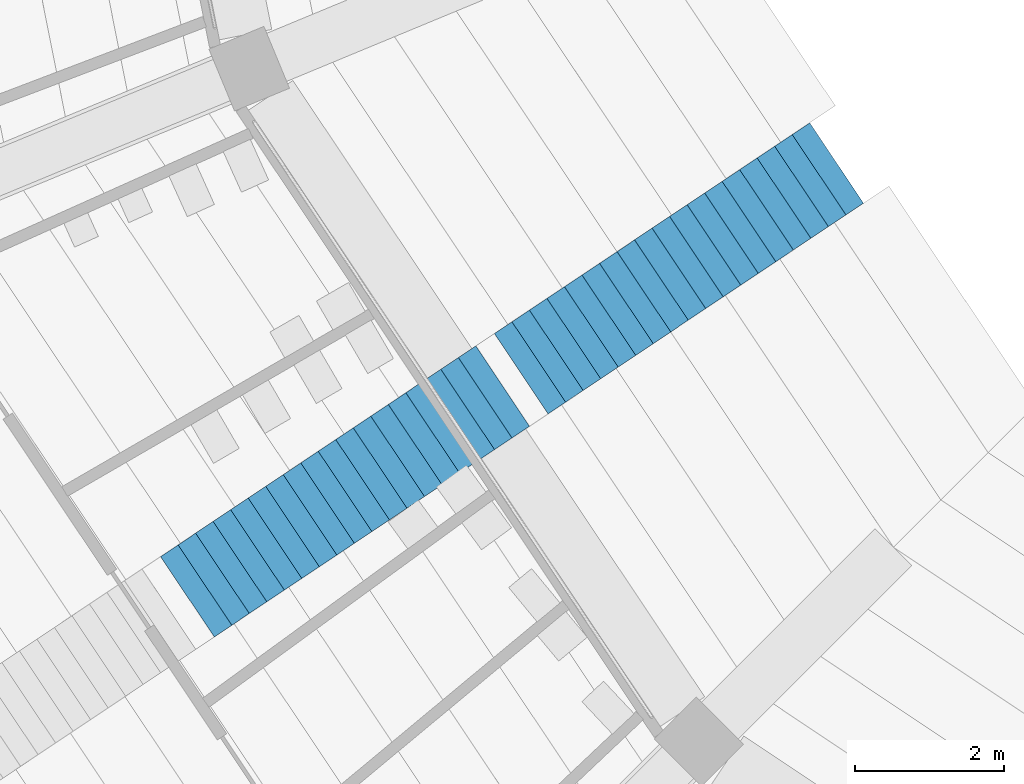
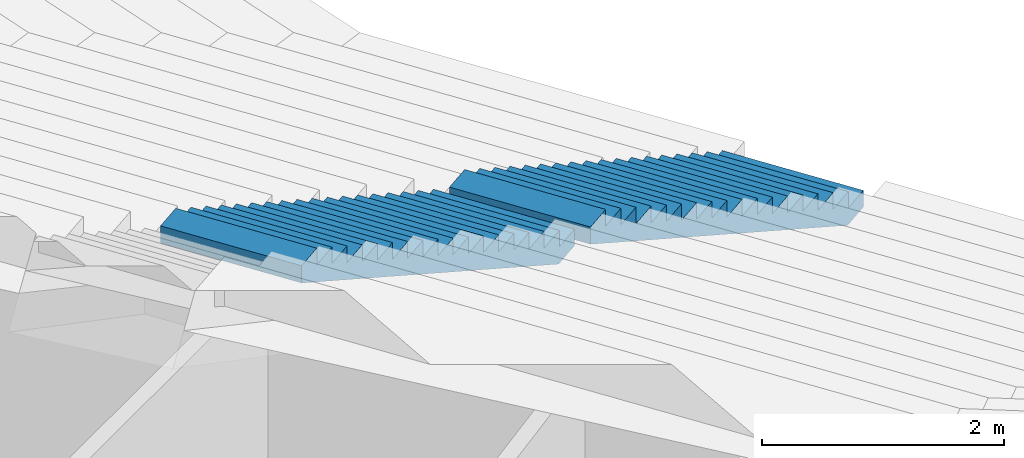
# One storey, part 140 of 249: 2 stair flights, 1 element without a shape of its own.
"""IFC4 building model written with IfcOpenShell, lengths in metres."""

import ifcopenshell
import ifcopenshell.guid

model = None  # the IFC model being written
_history = None  # IfcOwnerHistory: only IFC2X3 demands one
_inside = {}  # id of a spatial element -> (the spatial element, [elements in it])
_under = {}  # id of a project, library or spatial element -> (it, [spatial elements below it])
_declared = {}  # id of a project -> (the project, [libraries it declares])
_typed = {}  # id of a type object -> (the type object, [elements of that type])
_made_of = {}  # id of a material, layer set ... -> (it, [elements and type objects made of it])


def new_model(schema):
    """Start an empty IFC model of exactly this schema.

    Asked for "IFC4X3", IfcOpenShell would pick the latest addendum, in which some entities
    have other attributes; the version numbers below select the first issue.
    IFC2X3 requires an IfcOwnerHistory on every rooted entity: one is made here for all.
    """
    global model, _history
    if schema == "IFC4X3":
        model = ifcopenshell.file(schema_version=(4, 3, 0, 0))
    else:
        model = ifcopenshell.file(schema=schema)
    _inside.clear()
    _under.clear()
    _declared.clear()
    _typed.clear()
    _made_of.clear()
    _history = None
    if model.schema == "IFC2X3":
        org = make("IfcOrganization", Name="unknown")
        user = make(
            "IfcPersonAndOrganization",
            ThePerson=make("IfcPerson", FamilyName="unknown"),
            TheOrganization=org,
        )
        app = make(
            "IfcApplication",
            ApplicationDeveloper=org,
            Version="unknown",
            ApplicationFullName="unknown",
            ApplicationIdentifier="unknown",
        )
        _history = make(
            "IfcOwnerHistory",
            OwningUser=user,
            OwningApplication=app,
            ChangeAction="ADDED",
            CreationDate=0,
        )
    return model


def make(cls, **values):
    """One entity of the class cls with the attributes given. An attribute that is None is left unset."""
    return model.create_entity(
        cls, **{name: value for name, value in values.items() if value is not None}
    )


def rooted(cls, **values):
    """An entity with a GlobalId (a new one), such as an element, a storey or a relation."""
    return make(cls, GlobalId=ifcopenshell.guid.new(), OwnerHistory=_history, **values)


def si_unit(unit_type, name, prefix=None):
    """IfcSIUnit, for example si_unit("LENGTHUNIT", "METRE", prefix="MILLI")."""
    return make("IfcSIUnit", UnitType=unit_type, Prefix=prefix, Name=name)


def assignment(units):
    """IfcUnitAssignment: the units of a project."""
    return None if units is None else make("IfcUnitAssignment", Units=units)


def point(xyz):
    """IfcCartesianPoint."""
    return None if xyz is None else make("IfcCartesianPoint", Coordinates=xyz)


def direction(xyz):
    """IfcDirection."""
    return None if xyz is None else make("IfcDirection", DirectionRatios=xyz)


def frame(location, z_axis=None, x_axis=None):
    """IfcAxis2Placement3D, a coordinate frame: its origin and axes. An axis left out is left unset."""
    return make(
        "IfcAxis2Placement3D",
        Location=point(location),
        Axis=direction(z_axis),
        RefDirection=direction(x_axis),
    )


def origin():
    """The frame at (0, 0, 0) with its axes left unset."""
    return frame((0.0, 0.0, 0.0))


def place(relative_to, where):
    """IfcLocalPlacement: puts the frame where relative to a parent placement (None: the world)."""
    return make(
        "IfcLocalPlacement", PlacementRelTo=relative_to, RelativePlacement=where
    )


def context(
    kind, dimensions, precision=None, world=None, true_north=None, identifier=None
):
    """IfcGeometricRepresentationContext, for example the 3D "Model" context."""
    return make(
        "IfcGeometricRepresentationContext",
        ContextIdentifier=identifier,
        ContextType=kind,
        CoordinateSpaceDimension=dimensions,
        Precision=precision,
        WorldCoordinateSystem=world,
        TrueNorth=true_north,
    )


def subcontext(parent, identifier, kind, view, scale=None):
    """IfcGeometricRepresentationSubContext, for example "Body" below "Model"."""
    return make(
        "IfcGeometricRepresentationSubContext",
        ContextIdentifier=identifier,
        ContextType=kind,
        ParentContext=parent,
        TargetScale=scale,
        TargetView=view,
    )


def project(units=None, contexts=None):
    """IfcProject with its units and contexts."""
    return rooted(
        "IfcProject",
        Name="project",
        RepresentationContexts=contexts,
        UnitsInContext=assignment(units),
    )


def spatial(cls, under=None, at=None, **own):
    """A site, building, storey or space (cls), placed at a placement, below another one or the project."""
    s = rooted(cls, ObjectPlacement=at, **own)
    if under is not None:
        _under.setdefault(under.id(), (under, []))[1].append(s)
    return s


def faces_of(points, faces, orient=None, outer=None):
    """IfcFace entities. A face is a list of loops; a loop is a list of indices into points, from 0.

    orient and outer hold one flag for each loop. By default every Orientation is true, the
    first loop of a face is its IfcFaceOuterBound and the others are IfcFaceBound.
    """
    made = []
    for i, loops in enumerate(faces):
        bounds = []
        for j, loop in enumerate(loops):
            is_outer = j == 0 if outer is None else outer[i][j]
            bounds.append(
                make(
                    "IfcFaceOuterBound" if is_outer else "IfcFaceBound",
                    Bound=make("IfcPolyLoop", Polygon=[points[k] for k in loop]),
                    Orientation=True if orient is None else orient[i][j],
                )
            )
        made.append(make("IfcFace", Bounds=bounds))
    return made


def faceted_brep(points, faces, orient=None, outer=None, voids=None):
    """IfcFacetedBrep: a solid bounded by flat faces; with voids (closed shells), ...WithVoids."""
    shared = [point(p) for p in points]
    hull = make("IfcClosedShell", CfsFaces=faces_of(shared, faces, orient, outer))
    if voids is None:
        return make("IfcFacetedBrep", Outer=hull)
    return make(
        "IfcFacetedBrepWithVoids",
        Outer=hull,
        Voids=[
            make(cls, CfsFaces=faces_of(shared, fs, o, b)) for cls, fs, o, b in voids
        ],
    )


def shape(context_of_items, identifier, shape_type, items):
    """IfcShapeRepresentation: the items that make up one representation, for example the "Body"."""
    return make(
        "IfcShapeRepresentation",
        ContextOfItems=context_of_items,
        RepresentationIdentifier=identifier,
        RepresentationType=shape_type,
        Items=items,
    )


def material(Name=None, Category=None):
    """IfcMaterial."""
    return make("IfcMaterial", Name=Name, Category=Category)


def made_of(thing, what):
    """Note that an element or type object is made of a material, layer set ...; save() writes the relation."""
    if what is not None:
        _made_of.setdefault(what.id(), (what, []))[1].append(thing)
    return thing


def type_object(cls, material=None, **own):
    """A type object (cls), such as IfcWallType, which elements share."""
    return made_of(rooted(cls, **own), material)


def element(
    cls,
    number,
    at=None,
    inside=None,
    cuts=None,
    type_object=None,
    material=None,
    context=None,
    identifier="Body",
    shape_type=None,
    held_by="IfcProductDefinitionShape",
    body=None,
    shapes=None,
    **own,
):
    """One element of the class cls, such as IfcWall. Its Tag is "e" and its number.

    at: its placement. inside: the storey or other place that contains it. cuts: it is an
    opening in that element (IfcRelVoidsElement). A single representation is given by context,
    identifier, shape_type and body (its items); several are given by shapes. held_by: the class
    of the entity that holds the representations. save() writes the other relations.
    """
    e = rooted(cls, Tag="e%d" % number, ObjectPlacement=at, **own)
    if body is not None:
        shapes = [shape(context, identifier, shape_type, body)]
    if shapes is not None:
        e.Representation = make(held_by, Representations=shapes)
    if inside is not None:
        _inside.setdefault(inside.id(), (inside, []))[1].append(e)
    if cuts is not None:
        rooted(
            "IfcRelVoidsElement", RelatingBuildingElement=cuts, RelatedOpeningElement=e
        )
    if type_object is not None:
        _typed.setdefault(type_object.id(), (type_object, []))[1].append(e)
    return made_of(e, material)


def aggregate(whole, parts):
    """IfcRelAggregates: a whole, such as a stair, and the parts it consists of."""
    return rooted("IfcRelAggregates", RelatingObject=whole, RelatedObjects=parts)


def save(model, path):
    """Write the relations noted so far, then the file.

    IfcRelAggregates (storeys below a building ...), IfcRelContainedInSpatialStructure (elements
    in a storey), IfcRelDefinesByType, IfcRelAssociatesMaterial and IfcRelDeclares: one each for
    every whole, place, type object, material and project.
    """
    for whole, parts in _under.values():
        aggregate(whole, parts)
    for where, things in _inside.values():
        rooted(
            "IfcRelContainedInSpatialStructure",
            RelatedElements=things,
            RelatingStructure=where,
        )
    for kind, things in _typed.values():
        rooted("IfcRelDefinesByType", RelatedObjects=things, RelatingType=kind)
    for what, things in _made_of.values():
        rooted("IfcRelAssociatesMaterial", RelatedObjects=things, RelatingMaterial=what)
    for by, libraries in _declared.values():
        rooted("IfcRelDeclares", RelatingContext=by, RelatedDefinitions=libraries)
    model.write(path)


model = new_model("IFC4")

# Units and contexts
model_context = context("Model", 3, precision=1e-05, world=origin(), true_north=direction((0.0, 1.0)))
body_context = subcontext(model_context, "Body", "Model", "MODEL_VIEW")
ifc_project = project(units=[si_unit("LENGTHUNIT", "METRE"), si_unit("AREAUNIT", "SQUARE_METRE"), si_unit("VOLUMEUNIT", "CUBIC_METRE"), si_unit("PLANEANGLEUNIT", "RADIAN"), si_unit("MASSUNIT", "GRAM", prefix="KILO")], contexts=[model_context])

# Site, building, storey
site_placement = place(None, origin())
site = spatial("IfcSite", under=ifc_project, at=site_placement, CompositionType="ELEMENT")
building_placement = place(site_placement, origin())
building = spatial("IfcBuilding", under=site, at=building_placement, Name="Ogive Plaza Stadium", CompositionType="ELEMENT")
storey_placement = place(building_placement, frame((0.0, 0.0, 13.5)))
storey = spatial("IfcBuildingStorey", under=building, at=storey_placement, Name="L03", CompositionType="ELEMENT", Elevation=13.5)

# Stair, stair flights
ifc_material_1 = material(Name="Concrete C40/50", Category="concrete")
stair_type = type_object("IfcStairType", Name="Aisle stair", PredefinedType="STRAIGHT_RUN_STAIR", material=ifc_material_1)
stair_placement = place(storey_placement, origin())
stair = element("IfcStair", 1, at=stair_placement, inside=storey, type_object=stair_type, Name="Aisle stair SA19U", PredefinedType="STRAIGHT_RUN_STAIR")
ifc_material_2 = material(Name="Concrete C40/50", Category="concrete")
stair_flight_type = type_object("IfcStairFlightType", Name="Aisle stair flight", PredefinedType="STRAIGHT", material=ifc_material_2)
stair_flight_1_placement = place(storey_placement, frame((-51.876708984375, -64.44482421875, 0.5), z_axis=(0.0, 0.0, 1.0), x_axis=(-0.831469612303, -0.55557023302, 0.0)))
stair_flight_1 = element("IfcStairFlight", 2, at=stair_flight_1_placement, type_object=stair_flight_type, Name="SA19U flight 1", NumberOfRisers=18, NumberOfTreads=17, PredefinedType="STRAIGHT", RiserHeight=0.166666667, TreadLength=0.283333333, context=body_context, shape_type="Brep", body=[
    faceted_brep([(0.295654296875, -0.64990234375, 0.0), (5.10009765625, -0.64990234375, 2.826171875), (5.10009765625, -0.64990234375, 3.0), (4.816650390625, -0.64990234375, 3.0), (4.816650390625, -0.64990234375, 2.833251953125), (4.533447265625, -0.64990234375, 2.833251953125), (4.533447265625, -0.64990234375, 2.666748046875), (4.25, -0.64990234375, 2.666748046875), (4.25, -0.64990234375, 2.5), (3.966552734375, -0.64990234375, 2.5), (3.966552734375, -0.64990234375, 2.333251953125), (3.683349609375, -0.64990234375, 2.333251953125), (3.683349609375, -0.64990234375, 2.166748046875), (3.39990234375, -0.64990234375, 2.166748046875), (3.39990234375, -0.64990234375, 2.0), (3.11669921875, -0.64990234375, 2.0), (3.11669921875, -0.64990234375, 1.833251953125), (2.833251953125, -0.64990234375, 1.833251953125), (2.833251953125, -0.64990234375, 1.666748046875), (2.550048828125, -0.64990234375, 1.666748046875), (2.550048828125, -0.64990234375, 1.5), (2.2666015625, -0.64990234375, 1.5), (2.2666015625, -0.64990234375, 1.333251953125), (1.9833984375, -0.64990234375, 1.333251953125), (1.9833984375, -0.64990234375, 1.166748046875), (1.699951171875, -0.64990234375, 1.166748046875), (1.699951171875, -0.64990234375, 1.0), (1.416748046875, -0.64990234375, 1.0), (1.416748046875, -0.64990234375, 0.833251953125), (1.13330078125, -0.64990234375, 0.833251953125), (1.13330078125, -0.64990234375, 0.666748046875), (0.85009765625, -0.64990234375, 0.666748046875), (0.85009765625, -0.64990234375, 0.5), (0.566650390625, -0.64990234375, 0.5), (0.566650390625, -0.64990234375, 0.333251953125), (0.283447265625, -0.64990234375, 0.333251953125), (0.283447265625, -0.64990234375, 0.166748046875), (0.0, -0.64990234375, 0.166748046875), (0.0, -0.64990234375, 0.0), (0.0, 0.64990234375, 0.0), (0.0, 0.64990234375, 0.166748046875), (0.283447265625, 0.64990234375, 0.166748046875), (0.283447265625, 0.64990234375, 0.333251953125), (0.566650390625, 0.64990234375, 0.333251953125), (0.566650390625, 0.64990234375, 0.5), (0.85009765625, 0.64990234375, 0.5), (0.85009765625, 0.64990234375, 0.666748046875), (1.13330078125, 0.64990234375, 0.666748046875), (1.13330078125, 0.64990234375, 0.833251953125), (1.416748046875, 0.64990234375, 0.833251953125), (1.416748046875, 0.64990234375, 1.0), (1.699951171875, 0.64990234375, 1.0), (1.699951171875, 0.64990234375, 1.166748046875), (1.9833984375, 0.64990234375, 1.166748046875), (1.9833984375, 0.64990234375, 1.333251953125), (2.2666015625, 0.64990234375, 1.333251953125), (2.2666015625, 0.64990234375, 1.5), (2.550048828125, 0.64990234375, 1.5), (2.550048828125, 0.64990234375, 1.666748046875), (2.833251953125, 0.64990234375, 1.666748046875), (2.833251953125, 0.64990234375, 1.833251953125), (3.11669921875, 0.64990234375, 1.833251953125), (3.11669921875, 0.64990234375, 2.0), (3.39990234375, 0.64990234375, 2.0), (3.39990234375, 0.64990234375, 2.166748046875), (3.683349609375, 0.64990234375, 2.166748046875), (3.683349609375, 0.64990234375, 2.333251953125), (3.966552734375, 0.64990234375, 2.333251953125), (3.966552734375, 0.64990234375, 2.5), (4.25, 0.64990234375, 2.5), (4.25, 0.64990234375, 2.666748046875), (4.533447265625, 0.64990234375, 2.666748046875), (4.533447265625, 0.64990234375, 2.833251953125), (4.816650390625, 0.64990234375, 2.833251953125), (4.816650390625, 0.64990234375, 3.0), (5.10009765625, 0.64990234375, 3.0), (5.10009765625, 0.64990234375, 2.826171875), (0.295654296875, 0.64990234375, 0.0), (0.295654296875, -0.324951171875, 0.0), (5.10009765625, -0.324951171875, 2.826171875), (0.295654296875, 0.0, 0.0), (5.10009765625, 0.0, 2.826171875), (0.295654296875, 0.324951171875, 0.0), (5.10009765625, 0.324951171875, 2.826171875), (5.10009765625, -0.324951171875, 3.0), (5.10009765625, 0.0, 3.0), (5.10009765625, 0.324951171875, 3.0), (4.816650390625, -0.324951171875, 3.0), (4.816650390625, 0.0, 3.0), (4.816650390625, 0.324951171875, 3.0), (4.816650390625, -0.324951171875, 2.833251953125), (4.816650390625, 0.0, 2.833251953125), (4.816650390625, 0.324951171875, 2.833251953125), (4.533447265625, -0.324951171875, 2.833251953125), (4.533447265625, 0.0, 2.833251953125), (4.533447265625, 0.324951171875, 2.833251953125), (4.533447265625, -0.324951171875, 2.666748046875), (4.533447265625, 0.0, 2.666748046875), (4.533447265625, 0.324951171875, 2.666748046875), (4.25, -0.324951171875, 2.666748046875), (4.25, 0.0, 2.666748046875), (4.25, 0.324951171875, 2.666748046875), (4.25, -0.324951171875, 2.5), (4.25, 0.0, 2.5), (4.25, 0.324951171875, 2.5), (3.966552734375, -0.324951171875, 2.5), (3.966552734375, 0.0, 2.5), (3.966552734375, 0.324951171875, 2.5), (3.966552734375, -0.324951171875, 2.333251953125), (3.966552734375, 0.0, 2.333251953125), (3.966552734375, 0.324951171875, 2.333251953125), (3.683349609375, -0.324951171875, 2.333251953125), (3.683349609375, 0.0, 2.333251953125), (3.683349609375, 0.324951171875, 2.333251953125), (3.683349609375, -0.324951171875, 2.166748046875), (3.683349609375, 0.0, 2.166748046875), (3.683349609375, 0.324951171875, 2.166748046875), (3.39990234375, -0.324951171875, 2.166748046875), (3.39990234375, 0.0, 2.166748046875), (3.39990234375, 0.324951171875, 2.166748046875), (3.39990234375, -0.324951171875, 2.0), (3.39990234375, 0.0, 2.0), (3.39990234375, 0.324951171875, 2.0), (3.11669921875, -0.324951171875, 2.0), (3.11669921875, 0.0, 2.0), (3.11669921875, 0.324951171875, 2.0), (3.11669921875, -0.324951171875, 1.833251953125), (3.11669921875, 0.0, 1.833251953125), (3.11669921875, 0.324951171875, 1.833251953125), (2.833251953125, -0.324951171875, 1.833251953125), (2.833251953125, 0.0, 1.833251953125), (2.833251953125, 0.324951171875, 1.833251953125), (2.833251953125, -0.324951171875, 1.666748046875), (2.833251953125, 0.0, 1.666748046875), (2.833251953125, 0.324951171875, 1.666748046875), (2.550048828125, -0.324951171875, 1.666748046875), (2.550048828125, 0.0, 1.666748046875), (2.550048828125, 0.324951171875, 1.666748046875), (2.550048828125, -0.324951171875, 1.5), (2.550048828125, 0.0, 1.5), (2.550048828125, 0.324951171875, 1.5), (2.2666015625, -0.324951171875, 1.5), (2.2666015625, 0.0, 1.5), (2.2666015625, 0.324951171875, 1.5), (2.2666015625, -0.324951171875, 1.333251953125), (2.2666015625, 0.0, 1.333251953125), (2.2666015625, 0.324951171875, 1.333251953125), (1.9833984375, -0.324951171875, 1.333251953125), (1.9833984375, 0.0, 1.333251953125), (1.9833984375, 0.324951171875, 1.333251953125), (1.9833984375, -0.324951171875, 1.166748046875), (1.9833984375, 0.0, 1.166748046875), (1.9833984375, 0.324951171875, 1.166748046875), (1.699951171875, -0.324951171875, 1.166748046875), (1.699951171875, 0.0, 1.166748046875), (1.699951171875, 0.324951171875, 1.166748046875), (1.699951171875, -0.324951171875, 1.0), (1.699951171875, 0.0, 1.0), (1.699951171875, 0.324951171875, 1.0), (1.416748046875, -0.324951171875, 1.0), (1.416748046875, 0.0, 1.0), (1.416748046875, 0.324951171875, 1.0), (1.416748046875, -0.324951171875, 0.833251953125), (1.416748046875, 0.0, 0.833251953125), (1.416748046875, 0.324951171875, 0.833251953125), (1.13330078125, -0.324951171875, 0.833251953125), (1.13330078125, 0.0, 0.833251953125), (1.13330078125, 0.324951171875, 0.833251953125), (1.13330078125, -0.324951171875, 0.666748046875), (1.13330078125, 0.0, 0.666748046875), (1.13330078125, 0.324951171875, 0.666748046875), (0.85009765625, -0.324951171875, 0.666748046875), (0.85009765625, 0.0, 0.666748046875), (0.85009765625, 0.324951171875, 0.666748046875), (0.85009765625, -0.324951171875, 0.5), (0.85009765625, 0.0, 0.5), (0.85009765625, 0.324951171875, 0.5), (0.566650390625, -0.324951171875, 0.5), (0.566650390625, 0.0, 0.5), (0.566650390625, 0.324951171875, 0.5), (0.566650390625, -0.324951171875, 0.333251953125), (0.566650390625, 0.0, 0.333251953125), (0.566650390625, 0.324951171875, 0.333251953125), (0.283447265625, -0.324951171875, 0.333251953125), (0.283447265625, 0.0, 0.333251953125), (0.283447265625, 0.324951171875, 0.333251953125), (0.283447265625, -0.324951171875, 0.166748046875), (0.283447265625, 0.0, 0.166748046875), (0.283447265625, 0.324951171875, 0.166748046875), (0.0, -0.324951171875, 0.166748046875), (0.0, 0.0, 0.166748046875), (0.0, 0.324951171875, 0.166748046875), (0.0, -0.324951171875, 0.0), (0.0, 0.0, 0.0), (0.0, 0.324951171875, 0.0)], [[[0, 1, 2, 3, 4, 5, 6, 7, 8, 9, 10, 11, 12, 13, 14, 15, 16, 17, 18, 19, 20, 21, 22, 23, 24, 25, 26, 27, 28, 29, 30, 31, 32, 33, 34, 35, 36, 37, 38]], [[39, 40, 41, 42, 43, 44, 45, 46, 47, 48, 49, 50, 51, 52, 53, 54, 55, 56, 57, 58, 59, 60, 61, 62, 63, 64, 65, 66, 67, 68, 69, 70, 71, 72, 73, 74, 75, 76, 77]], [[0, 78, 79, 1]], [[78, 80, 81, 79]], [[80, 82, 83, 81]], [[82, 77, 76, 83]], [[1, 79, 84, 2]], [[79, 81, 85, 84]], [[81, 83, 86, 85]], [[83, 76, 75, 86]], [[2, 84, 87, 3]], [[84, 85, 88, 87]], [[85, 86, 89, 88]], [[86, 75, 74, 89]], [[3, 87, 90, 4]], [[87, 88, 91, 90]], [[88, 89, 92, 91]], [[89, 74, 73, 92]], [[4, 90, 93, 5]], [[90, 91, 94, 93]], [[91, 92, 95, 94]], [[92, 73, 72, 95]], [[5, 93, 96, 6]], [[93, 94, 97, 96]], [[94, 95, 98, 97]], [[95, 72, 71, 98]], [[6, 96, 99, 7]], [[96, 97, 100, 99]], [[97, 98, 101, 100]], [[98, 71, 70, 101]], [[7, 99, 102, 8]], [[99, 100, 103, 102]], [[100, 101, 104, 103]], [[101, 70, 69, 104]], [[8, 102, 105, 9]], [[102, 103, 106, 105]], [[103, 104, 107, 106]], [[104, 69, 68, 107]], [[9, 105, 108, 10]], [[105, 106, 109, 108]], [[106, 107, 110, 109]], [[107, 68, 67, 110]], [[10, 108, 111, 11]], [[108, 109, 112, 111]], [[109, 110, 113, 112]], [[110, 67, 66, 113]], [[11, 111, 114, 12]], [[111, 112, 115, 114]], [[112, 113, 116, 115]], [[113, 66, 65, 116]], [[12, 114, 117, 13]], [[114, 115, 118, 117]], [[115, 116, 119, 118]], [[116, 65, 64, 119]], [[13, 117, 120, 14]], [[117, 118, 121, 120]], [[118, 119, 122, 121]], [[119, 64, 63, 122]], [[14, 120, 123, 15]], [[120, 121, 124, 123]], [[121, 122, 125, 124]], [[122, 63, 62, 125]], [[15, 123, 126, 16]], [[123, 124, 127, 126]], [[124, 125, 128, 127]], [[125, 62, 61, 128]], [[16, 126, 129, 17]], [[126, 127, 130, 129]], [[127, 128, 131, 130]], [[128, 61, 60, 131]], [[17, 129, 132, 18]], [[129, 130, 133, 132]], [[130, 131, 134, 133]], [[131, 60, 59, 134]], [[18, 132, 135, 19]], [[132, 133, 136, 135]], [[133, 134, 137, 136]], [[134, 59, 58, 137]], [[19, 135, 138, 20]], [[135, 136, 139, 138]], [[136, 137, 140, 139]], [[137, 58, 57, 140]], [[20, 138, 141, 21]], [[138, 139, 142, 141]], [[139, 140, 143, 142]], [[140, 57, 56, 143]], [[21, 141, 144, 22]], [[141, 142, 145, 144]], [[142, 143, 146, 145]], [[143, 56, 55, 146]], [[22, 144, 147, 23]], [[144, 145, 148, 147]], [[145, 146, 149, 148]], [[146, 55, 54, 149]], [[23, 147, 150, 24]], [[147, 148, 151, 150]], [[148, 149, 152, 151]], [[149, 54, 53, 152]], [[24, 150, 153, 25]], [[150, 151, 154, 153]], [[151, 152, 155, 154]], [[152, 53, 52, 155]], [[25, 153, 156, 26]], [[153, 154, 157, 156]], [[154, 155, 158, 157]], [[155, 52, 51, 158]], [[26, 156, 159, 27]], [[156, 157, 160, 159]], [[157, 158, 161, 160]], [[158, 51, 50, 161]], [[27, 159, 162, 28]], [[159, 160, 163, 162]], [[160, 161, 164, 163]], [[161, 50, 49, 164]], [[28, 162, 165, 29]], [[162, 163, 166, 165]], [[163, 164, 167, 166]], [[164, 49, 48, 167]], [[29, 165, 168, 30]], [[165, 166, 169, 168]], [[166, 167, 170, 169]], [[167, 48, 47, 170]], [[30, 168, 171, 31]], [[168, 169, 172, 171]], [[169, 170, 173, 172]], [[170, 47, 46, 173]], [[31, 171, 174, 32]], [[171, 172, 175, 174]], [[172, 173, 176, 175]], [[173, 46, 45, 176]], [[32, 174, 177, 33]], [[174, 175, 178, 177]], [[175, 176, 179, 178]], [[176, 45, 44, 179]], [[33, 177, 180, 34]], [[177, 178, 181, 180]], [[178, 179, 182, 181]], [[179, 44, 43, 182]], [[34, 180, 183, 35]], [[180, 181, 184, 183]], [[181, 182, 185, 184]], [[182, 43, 42, 185]], [[35, 183, 186, 36]], [[183, 184, 187, 186]], [[184, 185, 188, 187]], [[185, 42, 41, 188]], [[36, 186, 189, 37]], [[186, 187, 190, 189]], [[187, 188, 191, 190]], [[188, 41, 40, 191]], [[37, 189, 192, 38]], [[189, 190, 193, 192]], [[190, 191, 194, 193]], [[191, 40, 39, 194]], [[38, 192, 78, 0]], [[192, 193, 80, 78]], [[193, 194, 82, 80]], [[194, 39, 77, 82]]]),
])
stair_flight_2_placement = place(storey_placement, frame((-56.366455078125, -67.44482421875, 3.5), z_axis=(0.0, 0.0, 1.0), x_axis=(-0.831469612303, -0.55557023302, 0.0)))
stair_flight_2 = element("IfcStairFlight", 3, at=stair_flight_2_placement, type_object=stair_flight_type, Name="SA19U flight 2", NumberOfRisers=18, NumberOfTreads=17, PredefinedType="STRAIGHT", RiserHeight=0.166666667, TreadLength=0.283333333, context=body_context, shape_type="Brep", body=[
    faceted_brep([(0.295654296875, -0.64990234375, 0.0), (5.10009765625, -0.64990234375, 2.826171875), (5.10009765625, -0.64990234375, 3.0), (4.816650390625, -0.64990234375, 3.0), (4.816650390625, -0.64990234375, 2.833251953125), (4.533447265625, -0.64990234375, 2.833251953125), (4.533447265625, -0.64990234375, 2.666748046875), (4.25, -0.64990234375, 2.666748046875), (4.25, -0.64990234375, 2.5), (3.966552734375, -0.64990234375, 2.5), (3.966552734375, -0.64990234375, 2.333251953125), (3.683349609375, -0.64990234375, 2.333251953125), (3.683349609375, -0.64990234375, 2.166748046875), (3.39990234375, -0.64990234375, 2.166748046875), (3.39990234375, -0.64990234375, 2.0), (3.11669921875, -0.64990234375, 2.0), (3.11669921875, -0.64990234375, 1.833251953125), (2.833251953125, -0.64990234375, 1.833251953125), (2.833251953125, -0.64990234375, 1.666748046875), (2.550048828125, -0.64990234375, 1.666748046875), (2.550048828125, -0.64990234375, 1.5), (2.2666015625, -0.64990234375, 1.5), (2.2666015625, -0.64990234375, 1.333251953125), (1.9833984375, -0.64990234375, 1.333251953125), (1.9833984375, -0.64990234375, 1.166748046875), (1.699951171875, -0.64990234375, 1.166748046875), (1.699951171875, -0.64990234375, 1.0), (1.416748046875, -0.64990234375, 1.0), (1.416748046875, -0.64990234375, 0.833251953125), (1.13330078125, -0.64990234375, 0.833251953125), (1.13330078125, -0.64990234375, 0.666748046875), (0.85009765625, -0.64990234375, 0.666748046875), (0.85009765625, -0.64990234375, 0.5), (0.566650390625, -0.64990234375, 0.5), (0.566650390625, -0.64990234375, 0.333251953125), (0.283447265625, -0.64990234375, 0.333251953125), (0.283447265625, -0.64990234375, 0.166748046875), (0.0, -0.64990234375, 0.166748046875), (0.0, -0.64990234375, 0.0), (0.0, 0.64990234375, 0.0), (0.0, 0.64990234375, 0.166748046875), (0.283447265625, 0.64990234375, 0.166748046875), (0.283447265625, 0.64990234375, 0.333251953125), (0.566650390625, 0.64990234375, 0.333251953125), (0.566650390625, 0.64990234375, 0.5), (0.85009765625, 0.64990234375, 0.5), (0.85009765625, 0.64990234375, 0.666748046875), (1.13330078125, 0.64990234375, 0.666748046875), (1.13330078125, 0.64990234375, 0.833251953125), (1.416748046875, 0.64990234375, 0.833251953125), (1.416748046875, 0.64990234375, 1.0), (1.699951171875, 0.64990234375, 1.0), (1.699951171875, 0.64990234375, 1.166748046875), (1.9833984375, 0.64990234375, 1.166748046875), (1.9833984375, 0.64990234375, 1.333251953125), (2.2666015625, 0.64990234375, 1.333251953125), (2.2666015625, 0.64990234375, 1.5), (2.550048828125, 0.64990234375, 1.5), (2.550048828125, 0.64990234375, 1.666748046875), (2.833251953125, 0.64990234375, 1.666748046875), (2.833251953125, 0.64990234375, 1.833251953125), (3.11669921875, 0.64990234375, 1.833251953125), (3.11669921875, 0.64990234375, 2.0), (3.39990234375, 0.64990234375, 2.0), (3.39990234375, 0.64990234375, 2.166748046875), (3.683349609375, 0.64990234375, 2.166748046875), (3.683349609375, 0.64990234375, 2.333251953125), (3.966552734375, 0.64990234375, 2.333251953125), (3.966552734375, 0.64990234375, 2.5), (4.25, 0.64990234375, 2.5), (4.25, 0.64990234375, 2.666748046875), (4.533447265625, 0.64990234375, 2.666748046875), (4.533447265625, 0.64990234375, 2.833251953125), (4.816650390625, 0.64990234375, 2.833251953125), (4.816650390625, 0.64990234375, 3.0), (5.10009765625, 0.64990234375, 3.0), (5.10009765625, 0.64990234375, 2.826171875), (0.295654296875, 0.64990234375, 0.0), (0.295654296875, -0.324951171875, 0.0), (5.10009765625, -0.324951171875, 2.826171875), (0.295654296875, 0.0, 0.0), (5.10009765625, 0.0, 2.826171875), (0.295654296875, 0.324951171875, 0.0), (5.10009765625, 0.324951171875, 2.826171875), (5.10009765625, -0.324951171875, 3.0), (5.10009765625, 0.0, 3.0), (5.10009765625, 0.324951171875, 3.0), (4.816650390625, -0.324951171875, 3.0), (4.816650390625, 0.0, 3.0), (4.816650390625, 0.324951171875, 3.0), (4.816650390625, -0.324951171875, 2.833251953125), (4.816650390625, 0.0, 2.833251953125), (4.816650390625, 0.324951171875, 2.833251953125), (4.533447265625, -0.324951171875, 2.833251953125), (4.533447265625, 0.0, 2.833251953125), (4.533447265625, 0.324951171875, 2.833251953125), (4.533447265625, -0.324951171875, 2.666748046875), (4.533447265625, 0.0, 2.666748046875), (4.533447265625, 0.324951171875, 2.666748046875), (4.25, -0.324951171875, 2.666748046875), (4.25, 0.0, 2.666748046875), (4.25, 0.324951171875, 2.666748046875), (4.25, -0.324951171875, 2.5), (4.25, 0.0, 2.5), (4.25, 0.324951171875, 2.5), (3.966552734375, -0.324951171875, 2.5), (3.966552734375, 0.0, 2.5), (3.966552734375, 0.324951171875, 2.5), (3.966552734375, -0.324951171875, 2.333251953125), (3.966552734375, 0.0, 2.333251953125), (3.966552734375, 0.324951171875, 2.333251953125), (3.683349609375, -0.324951171875, 2.333251953125), (3.683349609375, 0.0, 2.333251953125), (3.683349609375, 0.324951171875, 2.333251953125), (3.683349609375, -0.324951171875, 2.166748046875), (3.683349609375, 0.0, 2.166748046875), (3.683349609375, 0.324951171875, 2.166748046875), (3.39990234375, -0.324951171875, 2.166748046875), (3.39990234375, 0.0, 2.166748046875), (3.39990234375, 0.324951171875, 2.166748046875), (3.39990234375, -0.324951171875, 2.0), (3.39990234375, 0.0, 2.0), (3.39990234375, 0.324951171875, 2.0), (3.11669921875, -0.324951171875, 2.0), (3.11669921875, 0.0, 2.0), (3.11669921875, 0.324951171875, 2.0), (3.11669921875, -0.324951171875, 1.833251953125), (3.11669921875, 0.0, 1.833251953125), (3.11669921875, 0.324951171875, 1.833251953125), (2.833251953125, -0.324951171875, 1.833251953125), (2.833251953125, 0.0, 1.833251953125), (2.833251953125, 0.324951171875, 1.833251953125), (2.833251953125, -0.324951171875, 1.666748046875), (2.833251953125, 0.0, 1.666748046875), (2.833251953125, 0.324951171875, 1.666748046875), (2.550048828125, -0.324951171875, 1.666748046875), (2.550048828125, 0.0, 1.666748046875), (2.550048828125, 0.324951171875, 1.666748046875), (2.550048828125, -0.324951171875, 1.5), (2.550048828125, 0.0, 1.5), (2.550048828125, 0.324951171875, 1.5), (2.2666015625, -0.324951171875, 1.5), (2.2666015625, 0.0, 1.5), (2.2666015625, 0.324951171875, 1.5), (2.2666015625, -0.324951171875, 1.333251953125), (2.2666015625, 0.0, 1.333251953125), (2.2666015625, 0.324951171875, 1.333251953125), (1.9833984375, -0.324951171875, 1.333251953125), (1.9833984375, 0.0, 1.333251953125), (1.9833984375, 0.324951171875, 1.333251953125), (1.9833984375, -0.324951171875, 1.166748046875), (1.9833984375, 0.0, 1.166748046875), (1.9833984375, 0.324951171875, 1.166748046875), (1.699951171875, -0.324951171875, 1.166748046875), (1.699951171875, 0.0, 1.166748046875), (1.699951171875, 0.324951171875, 1.166748046875), (1.699951171875, -0.324951171875, 1.0), (1.699951171875, 0.0, 1.0), (1.699951171875, 0.324951171875, 1.0), (1.416748046875, -0.324951171875, 1.0), (1.416748046875, 0.0, 1.0), (1.416748046875, 0.324951171875, 1.0), (1.416748046875, -0.324951171875, 0.833251953125), (1.416748046875, 0.0, 0.833251953125), (1.416748046875, 0.324951171875, 0.833251953125), (1.13330078125, -0.324951171875, 0.833251953125), (1.13330078125, 0.0, 0.833251953125), (1.13330078125, 0.324951171875, 0.833251953125), (1.13330078125, -0.324951171875, 0.666748046875), (1.13330078125, 0.0, 0.666748046875), (1.13330078125, 0.324951171875, 0.666748046875), (0.85009765625, -0.324951171875, 0.666748046875), (0.85009765625, 0.0, 0.666748046875), (0.85009765625, 0.324951171875, 0.666748046875), (0.85009765625, -0.324951171875, 0.5), (0.85009765625, 0.0, 0.5), (0.85009765625, 0.324951171875, 0.5), (0.566650390625, -0.324951171875, 0.5), (0.566650390625, 0.0, 0.5), (0.566650390625, 0.324951171875, 0.5), (0.566650390625, -0.324951171875, 0.333251953125), (0.566650390625, 0.0, 0.333251953125), (0.566650390625, 0.324951171875, 0.333251953125), (0.283447265625, -0.324951171875, 0.333251953125), (0.283447265625, 0.0, 0.333251953125), (0.283447265625, 0.324951171875, 0.333251953125), (0.283447265625, -0.324951171875, 0.166748046875), (0.283447265625, 0.0, 0.166748046875), (0.283447265625, 0.324951171875, 0.166748046875), (0.0, -0.324951171875, 0.166748046875), (0.0, 0.0, 0.166748046875), (0.0, 0.324951171875, 0.166748046875), (0.0, -0.324951171875, 0.0), (0.0, 0.0, 0.0), (0.0, 0.324951171875, 0.0)], [[[0, 1, 2, 3, 4, 5, 6, 7, 8, 9, 10, 11, 12, 13, 14, 15, 16, 17, 18, 19, 20, 21, 22, 23, 24, 25, 26, 27, 28, 29, 30, 31, 32, 33, 34, 35, 36, 37, 38]], [[39, 40, 41, 42, 43, 44, 45, 46, 47, 48, 49, 50, 51, 52, 53, 54, 55, 56, 57, 58, 59, 60, 61, 62, 63, 64, 65, 66, 67, 68, 69, 70, 71, 72, 73, 74, 75, 76, 77]], [[0, 78, 79, 1]], [[78, 80, 81, 79]], [[80, 82, 83, 81]], [[82, 77, 76, 83]], [[1, 79, 84, 2]], [[79, 81, 85, 84]], [[81, 83, 86, 85]], [[83, 76, 75, 86]], [[2, 84, 87, 3]], [[84, 85, 88, 87]], [[85, 86, 89, 88]], [[86, 75, 74, 89]], [[3, 87, 90, 4]], [[87, 88, 91, 90]], [[88, 89, 92, 91]], [[89, 74, 73, 92]], [[4, 90, 93, 5]], [[90, 91, 94, 93]], [[91, 92, 95, 94]], [[92, 73, 72, 95]], [[5, 93, 96, 6]], [[93, 94, 97, 96]], [[94, 95, 98, 97]], [[95, 72, 71, 98]], [[6, 96, 99, 7]], [[96, 97, 100, 99]], [[97, 98, 101, 100]], [[98, 71, 70, 101]], [[7, 99, 102, 8]], [[99, 100, 103, 102]], [[100, 101, 104, 103]], [[101, 70, 69, 104]], [[8, 102, 105, 9]], [[102, 103, 106, 105]], [[103, 104, 107, 106]], [[104, 69, 68, 107]], [[9, 105, 108, 10]], [[105, 106, 109, 108]], [[106, 107, 110, 109]], [[107, 68, 67, 110]], [[10, 108, 111, 11]], [[108, 109, 112, 111]], [[109, 110, 113, 112]], [[110, 67, 66, 113]], [[11, 111, 114, 12]], [[111, 112, 115, 114]], [[112, 113, 116, 115]], [[113, 66, 65, 116]], [[12, 114, 117, 13]], [[114, 115, 118, 117]], [[115, 116, 119, 118]], [[116, 65, 64, 119]], [[13, 117, 120, 14]], [[117, 118, 121, 120]], [[118, 119, 122, 121]], [[119, 64, 63, 122]], [[14, 120, 123, 15]], [[120, 121, 124, 123]], [[121, 122, 125, 124]], [[122, 63, 62, 125]], [[15, 123, 126, 16]], [[123, 124, 127, 126]], [[124, 125, 128, 127]], [[125, 62, 61, 128]], [[16, 126, 129, 17]], [[126, 127, 130, 129]], [[127, 128, 131, 130]], [[128, 61, 60, 131]], [[17, 129, 132, 18]], [[129, 130, 133, 132]], [[130, 131, 134, 133]], [[131, 60, 59, 134]], [[18, 132, 135, 19]], [[132, 133, 136, 135]], [[133, 134, 137, 136]], [[134, 59, 58, 137]], [[19, 135, 138, 20]], [[135, 136, 139, 138]], [[136, 137, 140, 139]], [[137, 58, 57, 140]], [[20, 138, 141, 21]], [[138, 139, 142, 141]], [[139, 140, 143, 142]], [[140, 57, 56, 143]], [[21, 141, 144, 22]], [[141, 142, 145, 144]], [[142, 143, 146, 145]], [[143, 56, 55, 146]], [[22, 144, 147, 23]], [[144, 145, 148, 147]], [[145, 146, 149, 148]], [[146, 55, 54, 149]], [[23, 147, 150, 24]], [[147, 148, 151, 150]], [[148, 149, 152, 151]], [[149, 54, 53, 152]], [[24, 150, 153, 25]], [[150, 151, 154, 153]], [[151, 152, 155, 154]], [[152, 53, 52, 155]], [[25, 153, 156, 26]], [[153, 154, 157, 156]], [[154, 155, 158, 157]], [[155, 52, 51, 158]], [[26, 156, 159, 27]], [[156, 157, 160, 159]], [[157, 158, 161, 160]], [[158, 51, 50, 161]], [[27, 159, 162, 28]], [[159, 160, 163, 162]], [[160, 161, 164, 163]], [[161, 50, 49, 164]], [[28, 162, 165, 29]], [[162, 163, 166, 165]], [[163, 164, 167, 166]], [[164, 49, 48, 167]], [[29, 165, 168, 30]], [[165, 166, 169, 168]], [[166, 167, 170, 169]], [[167, 48, 47, 170]], [[30, 168, 171, 31]], [[168, 169, 172, 171]], [[169, 170, 173, 172]], [[170, 47, 46, 173]], [[31, 171, 174, 32]], [[171, 172, 175, 174]], [[172, 173, 176, 175]], [[173, 46, 45, 176]], [[32, 174, 177, 33]], [[174, 175, 178, 177]], [[175, 176, 179, 178]], [[176, 45, 44, 179]], [[33, 177, 180, 34]], [[177, 178, 181, 180]], [[178, 179, 182, 181]], [[179, 44, 43, 182]], [[34, 180, 183, 35]], [[180, 181, 184, 183]], [[181, 182, 185, 184]], [[182, 43, 42, 185]], [[35, 183, 186, 36]], [[183, 184, 187, 186]], [[184, 185, 188, 187]], [[185, 42, 41, 188]], [[36, 186, 189, 37]], [[186, 187, 190, 189]], [[187, 188, 191, 190]], [[188, 41, 40, 191]], [[37, 189, 192, 38]], [[189, 190, 193, 192]], [[190, 191, 194, 193]], [[191, 40, 39, 194]], [[38, 192, 78, 0]], [[192, 193, 80, 78]], [[193, 194, 82, 80]], [[194, 39, 77, 82]]]),
])
aggregate(stair, [stair_flight_1, stair_flight_2])

save(model, "model.ifc")
